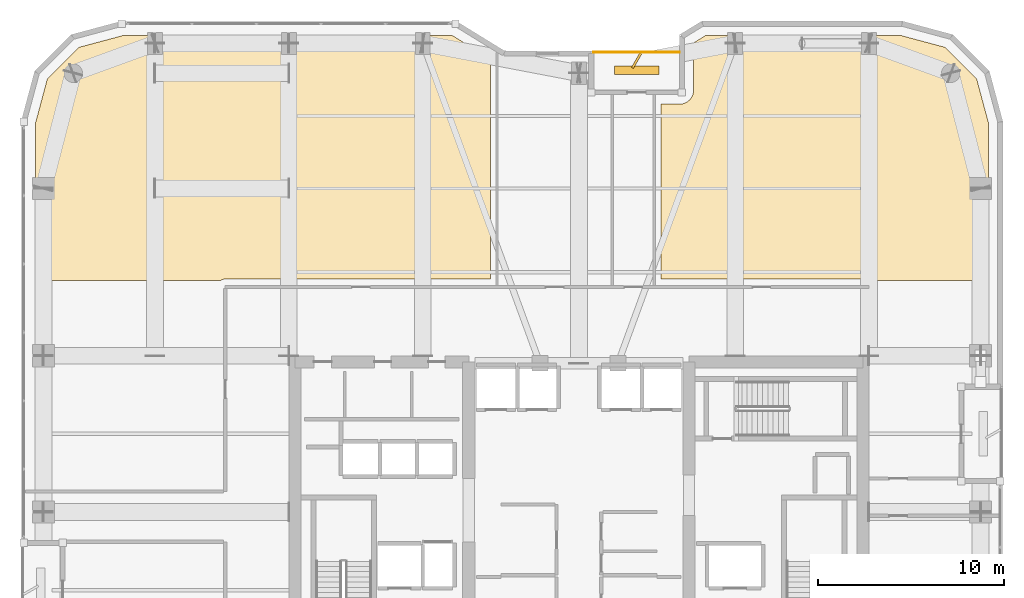
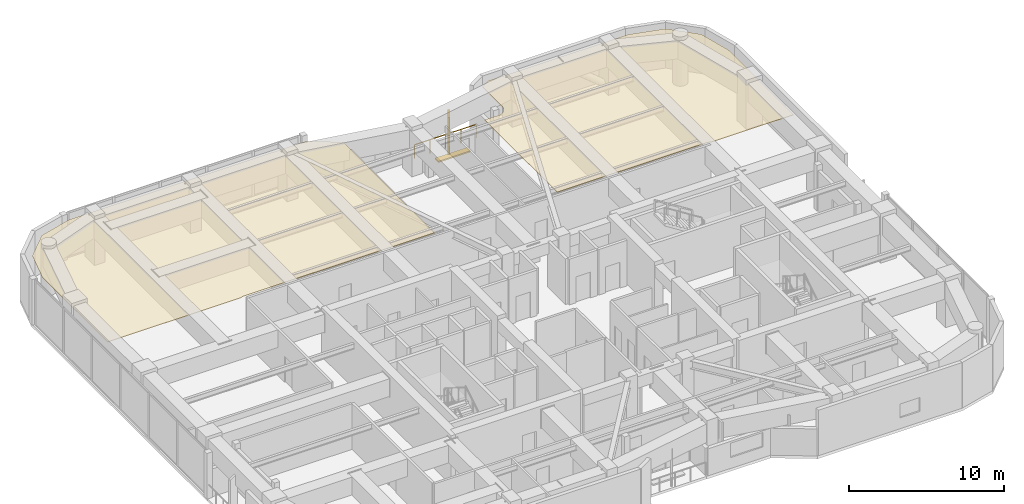
# One storey, part 30 of 30: 2 coverings, 2 shading devices, 1 railing.
"""IFC4 building model written with IfcOpenShell, lengths in metres."""

from ifc_helpers import new_model, si_unit, direction, frame, origin, origin_2d, place, context, subcontext, project, spatial, polyline, rectangle, outline, extrude, material, layer, layer_set, type_object, element, save


model = new_model("IFC4")

# Units and contexts
model_context = context("Model", 3, precision=1e-05, world=origin(), true_north=direction((0.0, 1.0)))
body_context = subcontext(model_context, "Body", "Model", "MODEL_VIEW")
ifc_project = project(units=[si_unit("LENGTHUNIT", "METRE"), si_unit("AREAUNIT", "SQUARE_METRE"), si_unit("VOLUMEUNIT", "CUBIC_METRE"), si_unit("PLANEANGLEUNIT", "RADIAN"), si_unit("MASSUNIT", "GRAM", prefix="KILO")], contexts=[model_context])

# Site, building, storey
site_placement = place(None, origin())
site = spatial("IfcSite", under=ifc_project, at=site_placement, CompositionType="ELEMENT")
building_placement = place(site_placement, origin())
building = spatial("IfcBuilding", under=site, at=building_placement, Name="Kiyonajd Concourse Tower", CompositionType="ELEMENT")
storey_placement = place(building_placement, frame((0.0, 0.0, 205.800048828125)))
storey = spatial("IfcBuildingStorey", under=building, at=storey_placement, Name="L52", CompositionType="ELEMENT", Elevation=205.800048828125)

# Coverings
ifc_material_1 = material(Name="Natural Oak Acoustic Timber Veneer", Category="wood")
ifc_layer = layer(ifc_material_1, 0.0400390625)
ifc_layer_set = layer_set([ifc_layer], Name="Natural Oak Acoustic Timber Veneer")
covering_type = type_object("IfcCoveringType", Name="CV-CLG-ACST", PredefinedType="CEILING", material=ifc_layer_set)
covering_1_placement = place(storey_placement, frame((0.0, 0.0, 3.419921875)))
element("IfcCovering", 1, at=covering_1_placement, inside=storey, type_object=covering_type, Name="L52-47 Room Acoustic Ceiling", PredefinedType="CEILING", context=body_context, shape_type="SweptSolid", body=[
    extrude(outline(polyline([(21.097900390625, 60.986083984375), (23.5009765625, 61.6298828125), (41.181884765625, 61.6298828125), (43.239990234375, 60.363037109375), (43.239990234375, 48.530029296875), (28.97509765625, 48.530029296875), (28.844970703125, 48.510009765625), (28.781982421875, 48.48388671875), (28.72705078125, 48.449951171875), (18.77001953125, 48.449951171875), (18.77001953125, 56.89892578125), (19.4140625, 59.302001953125), (21.097900390625, 60.986083984375)])), origin(), (0.0, 0.0, 1.0), 0.0400390625),
])
covering_2_placement = place(storey_placement, frame((0.0, 0.0, 3.419921875)))
element("IfcCovering", 2, at=covering_2_placement, inside=storey, type_object=covering_type, Name="L52-50 Room Acoustic Ceiling", PredefinedType="CEILING", context=body_context, shape_type="SweptSolid", body=[
    extrude(outline(polyline([(53.532958984375, 57.94189453125), (53.639892578125, 57.968994140625), (53.72802734375, 58.00390625), (53.839111328125, 58.068115234375), (53.95703125, 58.16796875), (54.031982421875, 58.260986328125), (54.095947265625, 58.3720703125), (54.131103515625, 58.4599609375), (54.157958984375, 58.56689453125), (54.16796875, 58.658935546875), (54.169921875, 61.23095703125), (54.818115234375, 61.6298828125), (65.299072265625, 61.6298828125), (67.701904296875, 60.986083984375), (69.385986328125, 59.302001953125), (70.030029296875, 56.89892578125), (70.030029296875, 48.449951171875), (63.847900390625, 48.449951171875), (63.79296875, 48.48388671875), (63.72998046875, 48.510009765625), (63.60009765625, 48.530029296875), (52.419921875, 48.530029296875), (52.419921875, 57.930908203125), (53.44189453125, 57.931884765625), (53.532958984375, 57.94189453125)])), origin(), (0.0, 0.0, 1.0), 0.0400390625),
])

# Railing
ifc_material_2 = material(Name="Thermally Broken Anodised Aluminium", Category="aluminium")
railing_type = type_object("IfcRailingType", Name="RL-GRD-LOG", PredefinedType="GUARDRAIL", material=ifc_material_2)
railing_placement = place(storey_placement, frame((53.39990234375, 60.719970703125, 0.0)))
element("IfcRailing", 3, at=railing_placement, inside=storey, type_object=railing_type, Name="L52 Engawa Loggia Perimeter Guard LOG-N", PredefinedType="GUARDRAIL", context=body_context, shape_type="SweptSolid", body=[
    extrude(rectangle(XDim=0.048095703125, YDim=0.048095703125, at=origin_2d()), frame((0.0, 0.0, 1.076171875), z_axis=(-1.0, 0.0, 0.0), x_axis=(0.0, -1.0, 0.0)), (0.0, 0.0, 1.0), 4.599853515625),
    extrude(rectangle(XDim=0.0419921875, YDim=0.0419921875, at=origin_2d()), origin(), (0.0, 0.0, 1.0), 1.052001953125),
    extrude(rectangle(XDim=0.0419921875, YDim=0.0419921875, at=origin_2d()), frame((-1.14990234375, 0.0, 0.0)), (0.0, 0.0, 1.0), 1.052001953125),
    extrude(rectangle(XDim=0.0419921875, YDim=0.0419921875, at=origin_2d()), frame((-2.2998046875, 0.0, 0.0)), (0.0, 0.0, 1.0), 1.052001953125),
    extrude(rectangle(XDim=0.0419921875, YDim=0.0419921875, at=origin_2d()), frame((-3.449951171875, 0.0, 0.0)), (0.0, 0.0, 1.0), 1.052001953125),
    extrude(rectangle(XDim=0.0419921875, YDim=0.0419921875, at=origin_2d()), frame((-4.599853515625, 0.0, 0.0)), (0.0, 0.0, 1.0), 1.052001953125),
])

# Shading devices
ifc_material_3 = material(Name="Precast concrete C50/60", Category="concrete")
shading_device_type_1 = type_object("IfcShadingDeviceType", Name="SH-FIN-900", PredefinedType="USERDEFINED", material=ifc_material_3)
shading_device_1_placement = place(storey_placement, frame((51.10009765625, 60.27001953125, 0.0), z_axis=(0.0, 0.0, 1.0), x_axis=(0.5, 0.866025403784, 0.0)))
element("IfcShadingDevice", 4, at=shading_device_1_placement, inside=storey, type_object=shading_device_type_1, Name="L52 Angled Koshi Solar Fin LOG-N", ObjectType="FIN", PredefinedType="USERDEFINED", context=body_context, shape_type="SweptSolid", body=[
    extrude(rectangle(XDim=0.89990234375, YDim=0.1201171875, at=origin_2d()), origin(), (0.0, 0.0, 1.0), 3.0),
])
shading_device_type_2 = type_object("IfcShadingDeviceType", Name="SH-LVR-600", PredefinedType="JALOUSIE", material=ifc_material_2)
shading_device_2_placement = place(storey_placement, frame((51.10009765625, 59.75, 0.0), z_axis=(0.0, 0.0, 1.0), x_axis=(1.0, 0.0, 0.0)))
element("IfcShadingDevice", 5, at=shading_device_2_placement, inside=storey, type_object=shading_device_type_2, Name="L52 Loggia Threshold Louver LOG-N", PredefinedType="JALOUSIE", context=body_context, shape_type="SweptSolid", body=[
    extrude(rectangle(XDim=2.39990234375, YDim=0.449951171875, at=origin_2d()), origin(), (0.0, 0.0, 1.0), 0.10009765625),
])

save(model, "model.ifc")
